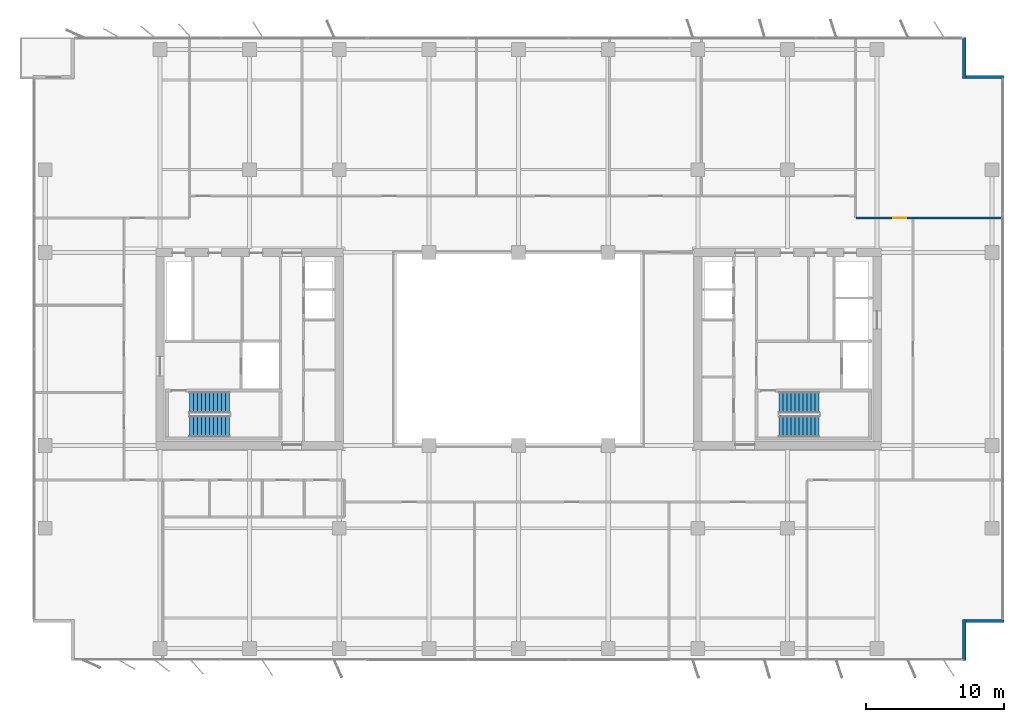
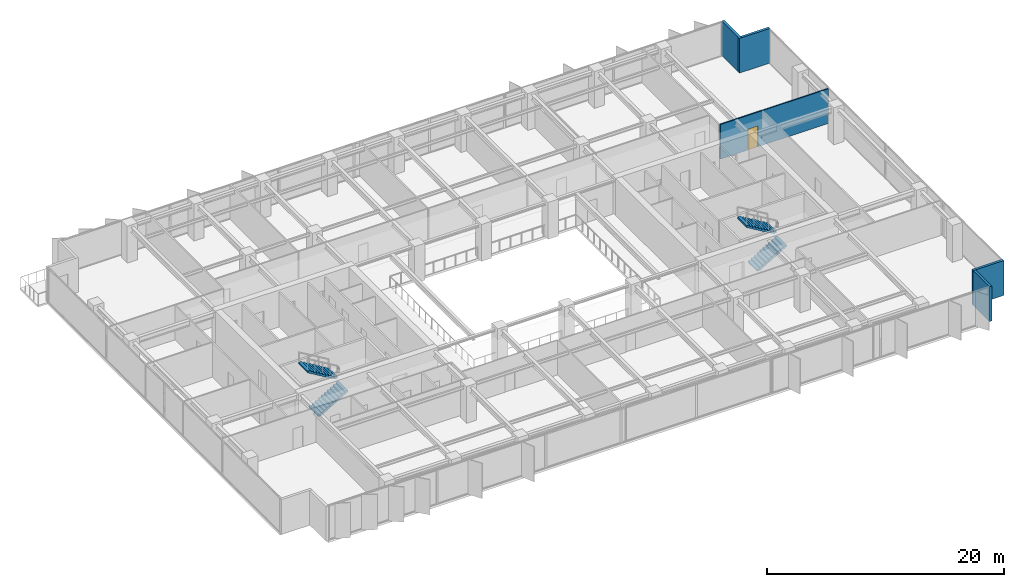
# One storey, part 18 of 22: 5 walls, 4 stair flights, 1 door, 1 opening, 2 elements without a shape of their own.
"""IFC4 building model written with IfcOpenShell, lengths in metres."""

from ifc_helpers import new_model, si_unit, direction, frame, frame_2d, origin, place, context, subcontext, project, spatial, polyline, rectangle, outline, extrude, material, layer, layer_set, type_object, element, fill, aggregate, save


model = new_model("IFC4")

# Units and contexts
model_context = context("Model", 3, precision=1e-05, world=origin(), true_north=direction((0.0, 1.0)))
body_context = subcontext(model_context, "Body", "Model", "MODEL_VIEW")
ifc_project = project(units=[si_unit("LENGTHUNIT", "METRE"), si_unit("AREAUNIT", "SQUARE_METRE"), si_unit("VOLUMEUNIT", "CUBIC_METRE"), si_unit("PLANEANGLEUNIT", "RADIAN"), si_unit("MASSUNIT", "GRAM", prefix="KILO")], contexts=[model_context])

# Site, building, storey
site_placement = place(None, origin())
site = spatial("IfcSite", under=ifc_project, at=site_placement, CompositionType="ELEMENT")
building_placement = place(site_placement, origin())
building = spatial("IfcBuilding", under=site, at=building_placement, Name="Putna Gate Headquarters", CompositionType="ELEMENT")
storey_placement = place(building_placement, frame((0.0, 0.0, 155.60009765625)))
storey = spatial("IfcBuildingStorey", under=building, at=storey_placement, Name="L38", CompositionType="ELEMENT", Elevation=155.60009765625)

# Walls
ifc_material_1 = material(Name="Precast concrete C40/50", Category="concrete")
ifc_layer_1 = layer(ifc_material_1, 0.239990234375)
ifc_layer_set_1 = layer_set([ifc_layer_1], Name="Precast concrete C40/50")
wall_type_1 = type_object("IfcWallType", Name="WALL-EXT-TERR-240", PredefinedType="STANDARD", material=ifc_layer_set_1)
for number, where, z_axis, x_axis, name in (
    (1, (71.320068359375, 48.60009765625, 0.0), (0.0, 0.0, 1.0), (0.0, -1.0, 0.0), "L38 Corner Notch Return Wall NE-V"),
    (2, (71.199951171875, 45.719970703125, 0.0), (0.0, 0.0, 1.0), (1.0, 0.0, 0.0), "L38 Corner Notch Return Wall NE-H"),
    (3, (71.320068359375, 6.39990234375, 0.0), (0.0, 0.0, 1.0), (0.0, -1.0, 0.0), "L38 Corner Notch Return Wall SE-V"),
    (4, (74.199951171875, 6.280029296875, 0.0), (0.0, 0.0, 1.0), (-1.0, 0.0, 0.0), "L38 Corner Notch Return Wall SE-H"),
):
    element("IfcWall", number, at=place(storey_placement, frame(where, z_axis=z_axis, x_axis=x_axis)), inside=storey, type_object=wall_type_1, Name=name, PredefinedType="STANDARD", context=body_context, shape_type="SweptSolid", body=[
        extrude(rectangle(XDim=3.0, YDim=0.239990234375, at=frame_2d((1.5, 0.0))), origin(), (0.0, 0.0, 1.0), 3.572021484375),
    ])

# Wall, opening, door
ifc_material_2 = material(Name="Fire-rated gypsum board on metal stud")
ifc_layer_2 = layer(ifc_material_2, 0.1201171875)
ifc_layer_set_2 = layer_set([ifc_layer_2], Name="Fire-rated gypsum board on metal stud")
wall_type_2 = type_object("IfcWallType", Name="WALL-PART-120-RATED", PredefinedType="PARTITIONING", material=ifc_layer_set_2)
wall_placement = place(storey_placement, frame((63.48291015625, 35.5, 0.0), z_axis=(0.0, 0.0, 1.0), x_axis=(1.0, 0.0, 0.0)))
wall = element("IfcWall", 5, at=wall_placement, inside=storey, type_object=wall_type_2, Name="L38 Interior Wall PART-L38-NB-CW-07", PredefinedType="PARTITIONING", context=body_context, shape_type="SweptSolid", body=[
    extrude(rectangle(XDim=10.537109375, YDim=0.1201171875, at=frame_2d((5.2685546875, 0.0))), origin(), (0.0, 0.0, 1.0), 3.572021484375),
])
opening_placement = place(wall_placement, frame((2.68701171875, 0.0, 0.0)))
opening = element("IfcOpeningElement", 6, at=opening_placement, cuts=wall, Name="Opening FD-95", PredefinedType="OPENING", context=body_context, shape_type="SweptSolid", body=[
    extrude(rectangle(XDim=0.949951171875, YDim=2.14990234375, at=frame_2d((0.47509765625, 1.074951171875))), frame((0.0, 0.070068359375, 0.0), z_axis=(0.0, -1.0, 0.0), x_axis=(1.0, 0.0, 0.0)), (0.0, 0.0, 1.0), 0.14013671875),
])
ifc_material_3 = material(Name="Acoustic timber fire door", Category="wood")
door_type = type_object("IfcDoorType", Name="DOOR-FIRE-950", OperationType="NOTDEFINED", PredefinedType="DOOR", material=ifc_material_3)
door_placement = place(opening_placement, origin())
door = element("IfcDoor", 7, at=door_placement, inside=storey, type_object=door_type, Name="L38 Cellular Office 2 Door", OperationType="SINGLE_SWING_RIGHT", OverallHeight=2.14990234375, OverallWidth=0.949951171875, PredefinedType="DOOR", context=body_context, shape_type="SweptSolid", body=[
    extrude(rectangle(XDim=0.949951171875, YDim=2.14990234375, at=frame_2d((0.47509765625, 1.074951171875))), frame((0.0, 0.02490234375, 0.0), z_axis=(0.0, -1.0, 0.0), x_axis=(1.0, 0.0, 0.0)), (0.0, 0.0, 1.0), 0.050048828125),
])
fill(opening, door)

# Stair, stair flights
ifc_material_4 = material(Name="Concrete C40/50", Category="concrete")
stair_type_1 = type_object("IfcStairType", Name="STAIR-ST1", PredefinedType="HALF_TURN_STAIR", material=ifc_material_4)
stair_1_placement = place(storey_placement, origin())
stair_1 = element("IfcStair", 8, at=stair_1_placement, inside=storey, type_object=stair_type_1, Name="L38 West Core Exit Stair ST1", PredefinedType="HALF_TURN_STAIR")
stair_flight_type_1 = type_object("IfcStairFlightType", Name="FLIGHT-ST1", PredefinedType="STRAIGHT", material=ifc_material_4)
stair_flight_1_placement = place(storey_placement, frame((15.14990234375, 20.375, 0.0), z_axis=(0.0, 0.0, 1.0), x_axis=(1.0, 0.0, 0.0)))
stair_flight_1 = element("IfcStairFlight", 9, at=stair_flight_1_placement, type_object=stair_flight_type_1, Name="ST1 flight 1", NumberOfRisers=11, NumberOfTreads=10, PredefinedType="STRAIGHT", RiserHeight=0.172727273, TreadLength=0.29, context=body_context, shape_type="SweptSolid", body=[
    extrude(outline(polyline([(0.0, 0.0), (0.0, 0.172607421875), (0.2900390625, 0.172607421875), (0.2900390625, 0.345458984375), (0.580078125, 0.345458984375), (0.580078125, 0.51806640625), (0.8701171875, 0.51806640625), (0.8701171875, 0.69091796875), (1.159912109375, 0.69091796875), (1.159912109375, 0.863525390625), (1.449951171875, 0.863525390625), (1.449951171875, 1.036376953125), (1.739990234375, 1.036376953125), (1.739990234375, 1.208984375), (2.030029296875, 1.208984375), (2.030029296875, 1.3818359375), (2.320068359375, 1.3818359375), (2.320068359375, 1.554443359375), (2.610107421875, 1.554443359375), (2.610107421875, 1.727294921875), (2.89990234375, 1.727294921875), (2.89990234375, 1.89990234375), (2.89990234375, 1.552734375), (0.29296875, 0.0), (0.0, 0.0)])), frame((0.0, 0.77490234375, 0.0), z_axis=(0.0, -1.0, 0.0), x_axis=(1.0, 0.0, 0.0)), (0.0, 0.0, 1.0), 1.550048828125),
])
stair_flight_2_placement = place(storey_placement, frame((18.050048828125, 22.125, 1.89990234375), z_axis=(0.0, 0.0, 1.0), x_axis=(-1.0, 0.0, 0.0)))
stair_flight_2 = element("IfcStairFlight", 10, at=stair_flight_2_placement, type_object=stair_flight_type_1, Name="ST1 flight 2", NumberOfRisers=11, NumberOfTreads=10, PredefinedType="STRAIGHT", RiserHeight=0.172727273, TreadLength=0.29, context=body_context, shape_type="SweptSolid", body=[
    extrude(outline(polyline([(0.0, 0.0), (0.0, 0.172607421875), (0.2900390625, 0.172607421875), (0.2900390625, 0.345458984375), (0.580078125, 0.345458984375), (0.580078125, 0.51806640625), (0.8701171875, 0.51806640625), (0.8701171875, 0.69091796875), (1.159912109375, 0.69091796875), (1.159912109375, 0.863525390625), (1.449951171875, 0.863525390625), (1.449951171875, 1.036376953125), (1.739990234375, 1.036376953125), (1.739990234375, 1.208984375), (2.030029296875, 1.208984375), (2.030029296875, 1.3818359375), (2.320068359375, 1.3818359375), (2.320068359375, 1.554443359375), (2.610107421875, 1.554443359375), (2.610107421875, 1.727294921875), (2.89990234375, 1.727294921875), (2.89990234375, 1.89990234375), (2.89990234375, 1.552734375), (0.29296875, 0.0), (0.0, 0.0)])), frame((0.0, 0.77490234375, 0.0), z_axis=(0.0, -1.0, 0.0), x_axis=(1.0, 0.0, 0.0)), (0.0, 0.0, 1.0), 1.550048828125),
])
aggregate(stair_1, [stair_flight_1, stair_flight_2])

stair_type_2 = type_object("IfcStairType", Name="STAIR-ST2", PredefinedType="HALF_TURN_STAIR", material=ifc_material_4)
stair_2_placement = place(storey_placement, origin())
stair_2 = element("IfcStair", 11, at=stair_2_placement, inside=storey, type_object=stair_type_2, Name="L38 East Core Exit Stair ST2", PredefinedType="HALF_TURN_STAIR")
stair_flight_type_2 = type_object("IfcStairFlightType", Name="FLIGHT-ST2", PredefinedType="STRAIGHT", material=ifc_material_4)
stair_flight_3_placement = place(storey_placement, frame((57.89990234375, 20.375, 0.0), z_axis=(0.0, 0.0, 1.0), x_axis=(1.0, 0.0, 0.0)))
stair_flight_3 = element("IfcStairFlight", 12, at=stair_flight_3_placement, type_object=stair_flight_type_2, Name="ST2 flight 1", NumberOfRisers=11, NumberOfTreads=10, PredefinedType="STRAIGHT", RiserHeight=0.172727273, TreadLength=0.29, context=body_context, shape_type="SweptSolid", body=[
    extrude(outline(polyline([(0.0, 0.0), (0.0, 0.172607421875), (0.2900390625, 0.172607421875), (0.2900390625, 0.345458984375), (0.580078125, 0.345458984375), (0.580078125, 0.51806640625), (0.8701171875, 0.51806640625), (0.8701171875, 0.69091796875), (1.159912109375, 0.69091796875), (1.159912109375, 0.863525390625), (1.449951171875, 0.863525390625), (1.449951171875, 1.036376953125), (1.739990234375, 1.036376953125), (1.739990234375, 1.208984375), (2.030029296875, 1.208984375), (2.030029296875, 1.3818359375), (2.320068359375, 1.3818359375), (2.320068359375, 1.554443359375), (2.610107421875, 1.554443359375), (2.610107421875, 1.727294921875), (2.89990234375, 1.727294921875), (2.89990234375, 1.89990234375), (2.89990234375, 1.552734375), (0.29296875, 0.0), (0.0, 0.0)])), frame((0.0, 0.77490234375, 0.0), z_axis=(0.0, -1.0, 0.0), x_axis=(1.0, 0.0, 0.0)), (0.0, 0.0, 1.0), 1.550048828125),
])
stair_flight_4_placement = place(storey_placement, frame((60.800048828125, 22.125, 1.89990234375), z_axis=(0.0, 0.0, 1.0), x_axis=(-1.0, 0.0, 0.0)))
stair_flight_4 = element("IfcStairFlight", 13, at=stair_flight_4_placement, type_object=stair_flight_type_2, Name="ST2 flight 2", NumberOfRisers=11, NumberOfTreads=10, PredefinedType="STRAIGHT", RiserHeight=0.172727273, TreadLength=0.29, context=body_context, shape_type="SweptSolid", body=[
    extrude(outline(polyline([(0.0, 0.0), (0.0, 0.172607421875), (0.2900390625, 0.172607421875), (0.2900390625, 0.345458984375), (0.580078125, 0.345458984375), (0.580078125, 0.51806640625), (0.8701171875, 0.51806640625), (0.8701171875, 0.69091796875), (1.159912109375, 0.69091796875), (1.159912109375, 0.863525390625), (1.449951171875, 0.863525390625), (1.449951171875, 1.036376953125), (1.739990234375, 1.036376953125), (1.739990234375, 1.208984375), (2.030029296875, 1.208984375), (2.030029296875, 1.3818359375), (2.320068359375, 1.3818359375), (2.320068359375, 1.554443359375), (2.610107421875, 1.554443359375), (2.610107421875, 1.727294921875), (2.89990234375, 1.727294921875), (2.89990234375, 1.89990234375), (2.89990234375, 1.552734375), (0.29296875, 0.0), (0.0, 0.0)])), frame((0.0, 0.77490234375, 0.0), z_axis=(0.0, -1.0, 0.0), x_axis=(1.0, 0.0, 0.0)), (0.0, 0.0, 1.0), 1.550048828125),
])
aggregate(stair_2, [stair_flight_3, stair_flight_4])

save(model, "model.ifc")
